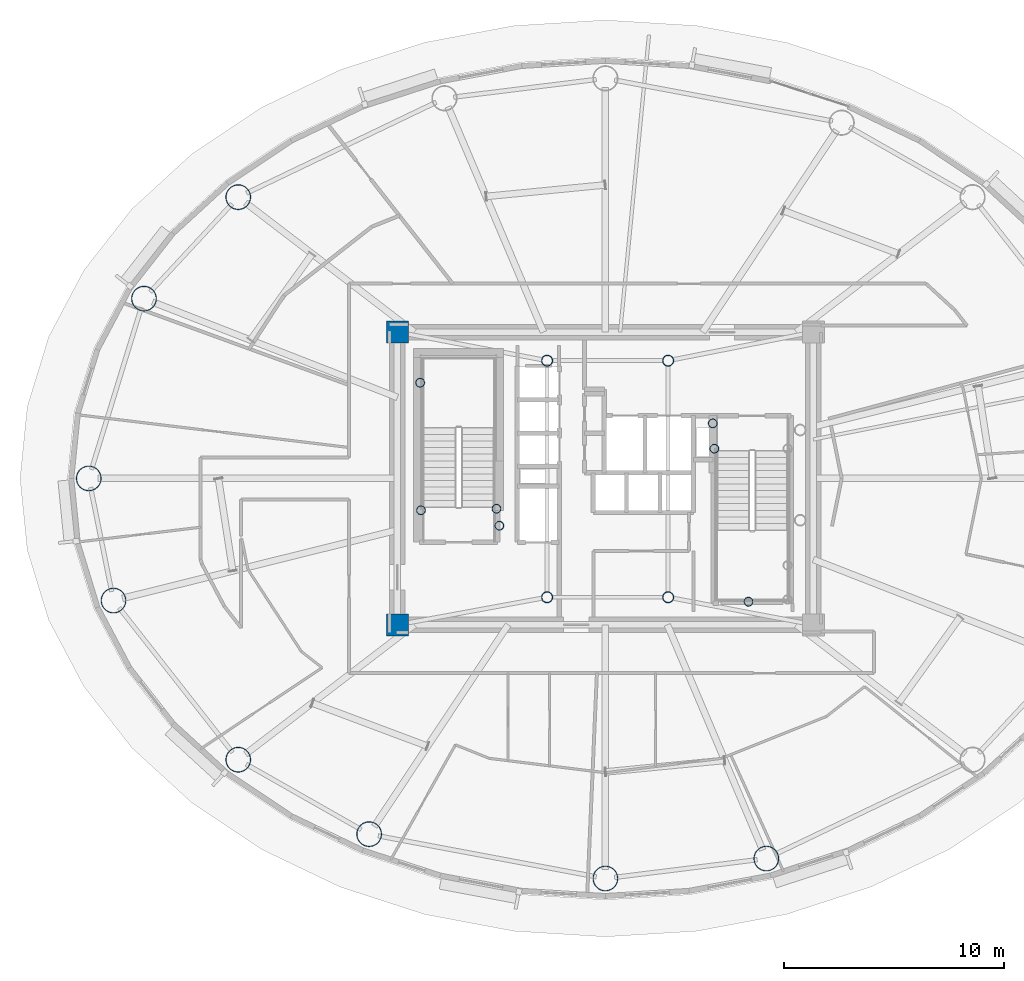
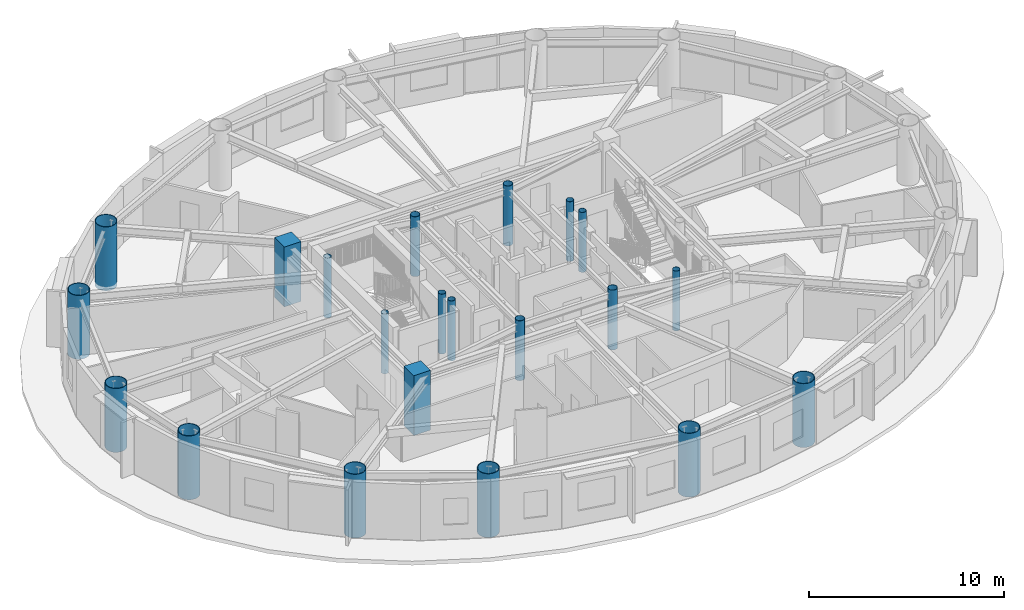
# One storey, part 1 of 19: 21 columns.
"""IFC4 building model written with IfcOpenShell, lengths in metres."""

from ifc_helpers import new_model, si_unit, direction, frame, origin, origin_2d, place, context, subcontext, project, spatial, rectangle, hollow_circle, extrude, material, material_profile, profile_set, type_object, element, save


model = new_model("IFC4")

# Units and contexts
model_context = context("Model", 3, precision=1e-05, world=origin(), true_north=direction((0.0, 1.0)))
body_context = subcontext(model_context, "Body", "Model", "MODEL_VIEW")
ifc_project = project(units=[si_unit("LENGTHUNIT", "METRE"), si_unit("AREAUNIT", "SQUARE_METRE"), si_unit("VOLUMEUNIT", "CUBIC_METRE"), si_unit("PLANEANGLEUNIT", "RADIAN"), si_unit("MASSUNIT", "GRAM", prefix="KILO")], contexts=[model_context])

# Site, building, storey
site_placement = place(None, origin())
site = spatial("IfcSite", under=ifc_project, at=site_placement, CompositionType="ELEMENT")
building_placement = place(site_placement, origin())
building = spatial("IfcBuilding", under=site, at=building_placement, Name="Linh Dai School and Residence Tower", CompositionType="ELEMENT")
storey_placement = place(building_placement, frame((0.0, 0.0, 210.300048828125)))
storey = spatial("IfcBuildingStorey", under=building, at=storey_placement, Name="L51", CompositionType="ELEMENT", Elevation=210.300048828125)

# Columns
ifc_material_1 = material(Name="Concrete B45 (C35/45)", Category="concrete")
ifc_material_profile_1 = material_profile(ifc_material_1, rectangle(XDim=1.0, YDim=1.0, at=origin_2d()), Name="RC 1000x1000")
ifc_profile_set_1 = profile_set([ifc_material_profile_1], Name="Concrete B45 (C35/45)")
column_type_1 = type_object("IfcColumnType", Name="COL-CC3", PredefinedType="COLUMN", material=ifc_profile_set_1)
for number, where, z_axis, x_axis, name in (
    (1, (26.550048828125, 20.35009765625, 0.0), (0.0, 0.0, 1.0), (1.0, 0.0, 0.0), "L51 Core Corner Pier CC1"),
    (2, (26.550048828125, 33.64990234375, 0.0), (0.0, 0.0, 1.0), (1.0, 0.0, 0.0), "L51 Core Corner Pier CC4"),
):
    element("IfcColumn", number, at=place(storey_placement, frame(where, z_axis=z_axis, x_axis=x_axis)), inside=storey, type_object=column_type_1, Name=name, PredefinedType="COLUMN", context=body_context, shape_type="SweptSolid", body=[
        extrude(rectangle(XDim=1.0, YDim=1.0, at=origin_2d()), origin(), (0.0, 0.0, 1.0), 3.75),
    ])
ifc_material_2 = material(Name="Structural Steel S355JR", Category="steel")
ifc_material_profile_2 = material_profile(ifc_material_2, hollow_circle(Radius=0.203125, WallThickness=0.01611328125, at=origin_2d()), Name="CHS 406.4x16")
ifc_profile_set_2 = profile_set([ifc_material_profile_2], Name="Structural Steel S355JR")
column_type_2 = type_object("IfcColumnType", Name="COL-EC", PredefinedType="COLUMN", material=ifc_profile_set_2)
for number, where, z_axis, x_axis, name in (
    (3, (27.580078125, 31.35009765625, 0.0), (0.0, 0.0, 1.0), (1.0, 0.0, 0.0), "L51 Stair Shaft Landing Support Pier ST1NW"),
    (4, (31.050048828125, 25.6201171875, 0.0), (0.0, 0.0, 1.0), (1.0, 0.0, 0.0), "L51 Stair Shaft Landing Support Pier ST1SE"),
    (5, (31.179931640625, 24.85009765625, 0.0), (0.0, 0.0, 1.0), (1.0, 0.0, 0.0), "L51 Stair Shaft Landing Support Pier ST1SM"),
    (6, (27.6201171875, 25.550048828125, 0.0), (0.0, 0.0, 1.0), (1.0, 0.0, 0.0), "L51 Stair Shaft Landing Support Pier ST1SW"),
    (7, (42.5, 21.39990234375, 0.0), (0.0, 0.0, 1.0), (1.0, 0.0, 0.0), "L51 Stair Shaft Landing Support Pier ST2MS"),
    (8, (40.949951171875, 28.35009765625, 0.0), (0.0, 0.0, 1.0), (1.0, 0.0, 0.0), "L51 Stair Shaft Landing Support Pier ST2N1"),
    (9, (40.8798828125, 29.5, 0.0), (0.0, 0.0, 1.0), (1.0, 0.0, 0.0), "L51 Stair Shaft Landing Support Pier ST2N3"),
):
    element("IfcColumn", number, at=place(storey_placement, frame(where, z_axis=z_axis, x_axis=x_axis)), inside=storey, type_object=column_type_2, Name=name, PredefinedType="COLUMN", context=body_context, shape_type="SweptSolid", body=[
        extrude(hollow_circle(Radius=0.203125, WallThickness=0.01611328125, at=origin_2d()), origin(), (0.0, 0.0, 1.0), 3.75),
    ])
ifc_material_profile_3 = material_profile(ifc_material_2, hollow_circle(Radius=0.574951171875, WallThickness=0.035888671875, at=origin_2d()), Name="CHS 1150x36")
ifc_profile_set_3 = profile_set([ifc_material_profile_3], Name="Structural Steel S355JR")
column_type_3 = type_object("IfcColumnType", Name="COL-MC5", PredefinedType="COLUMN", material=ifc_profile_set_3)
for number, where, z_axis, x_axis, name in (
    (10, (19.31689453125, 39.781005859375, -0.25), (0.0, 0.0, 1.0), (1.0, 0.0, 0.0), "L51 Perimeter CFT Mega-Column MC07"),
    (11, (15.03466796875, 35.1689453125, -0.25), (0.0, 0.0, 1.0), (1.0, 0.0, 0.0), "L51 Perimeter CFT Mega-Column MC08"),
    (12, (12.52490234375, 27.0, -0.25), (0.0, 0.0, 1.0), (1.0, 0.0, 0.0), "L51 Perimeter CFT Mega-Column MC09"),
    (13, (13.648681640625, 21.45068359375, -0.25), (0.0, 0.0, 1.0), (1.0, 0.0, 0.0), "L51 Perimeter CFT Mega-Column MC10"),
    (14, (19.31689453125, 14.218994140625, -0.25), (0.0, 0.0, 1.0), (1.0, 0.0, 0.0), "L51 Perimeter CFT Mega-Column MC11"),
    (15, (25.265380859375, 10.83642578125, -0.25), (0.0, 0.0, 1.0), (1.0, 0.0, 0.0), "L51 Perimeter CFT Mega-Column MC12"),
    (16, (36.0, 8.820068359375, -0.25), (0.0, 0.0, 1.0), (1.0, 0.0, 0.0), "L51 Perimeter CFT Mega-Column MC13"),
    (17, (43.31201171875, 9.7265625, -0.25), (0.0, 0.0, 1.0), (1.0, 0.0, 0.0), "L51 Perimeter CFT Mega-Column MC14"),
):
    element("IfcColumn", number, at=place(storey_placement, frame(where, z_axis=z_axis, x_axis=x_axis)), inside=storey, type_object=column_type_3, Name=name, PredefinedType="COLUMN", context=body_context, shape_type="SweptSolid", body=[
        extrude(hollow_circle(Radius=0.574951171875, WallThickness=0.035888671875, at=origin_2d()), origin(), (0.0, 0.0, 1.0), 4.0),
    ])
ifc_material_profile_4 = material_profile(ifc_material_2, hollow_circle(Radius=0.25390625, WallThickness=0.02001953125, at=origin_2d()), Name="CHS 508x20")
ifc_profile_set_4 = profile_set([ifc_material_profile_4], Name="Structural Steel S355JR")
column_type_4 = type_object("IfcColumnType", Name="COL-MCP", PredefinedType="COLUMN", material=ifc_profile_set_4)
for number, where, z_axis, x_axis, name in (
    (18, (33.35009765625, 21.60009765625, 0.0), (0.0, 0.0, 1.0), (1.0, 0.0, 0.0), "L51 Core Mast Support Pier MCP1"),
    (19, (38.85009765625, 21.60009765625, 0.0), (0.0, 0.0, 1.0), (1.0, 0.0, 0.0), "L51 Core Mast Support Pier MCP2"),
    (20, (38.85009765625, 32.35009765625, 0.0), (0.0, 0.0, 1.0), (1.0, 0.0, 0.0), "L51 Core Mast Support Pier MCP3"),
    (21, (33.35009765625, 32.35009765625, 0.0), (0.0, 0.0, 1.0), (1.0, 0.0, 0.0), "L51 Core Mast Support Pier MCP4"),
):
    element("IfcColumn", number, at=place(storey_placement, frame(where, z_axis=z_axis, x_axis=x_axis)), inside=storey, type_object=column_type_4, Name=name, PredefinedType="COLUMN", context=body_context, shape_type="SweptSolid", body=[
        extrude(hollow_circle(Radius=0.25390625, WallThickness=0.02001953125, at=origin_2d()), origin(), (0.0, 0.0, 1.0), 3.75),
    ])

save(model, "model.ifc")
